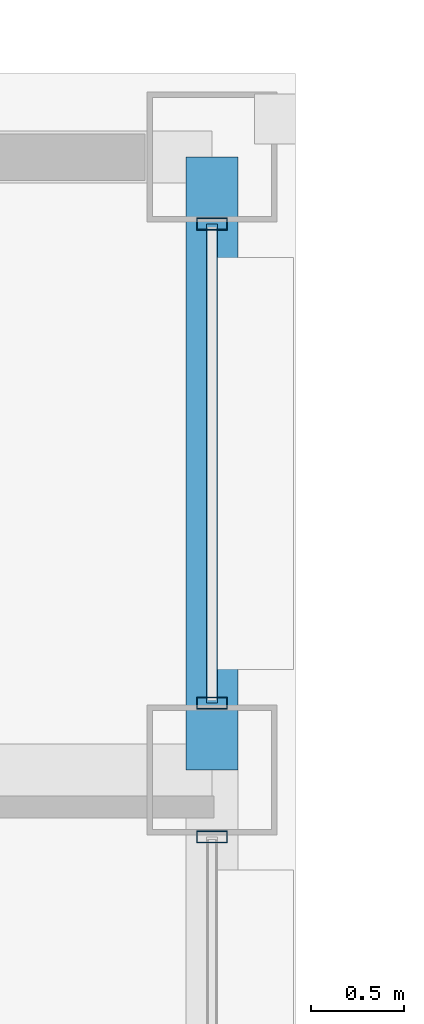
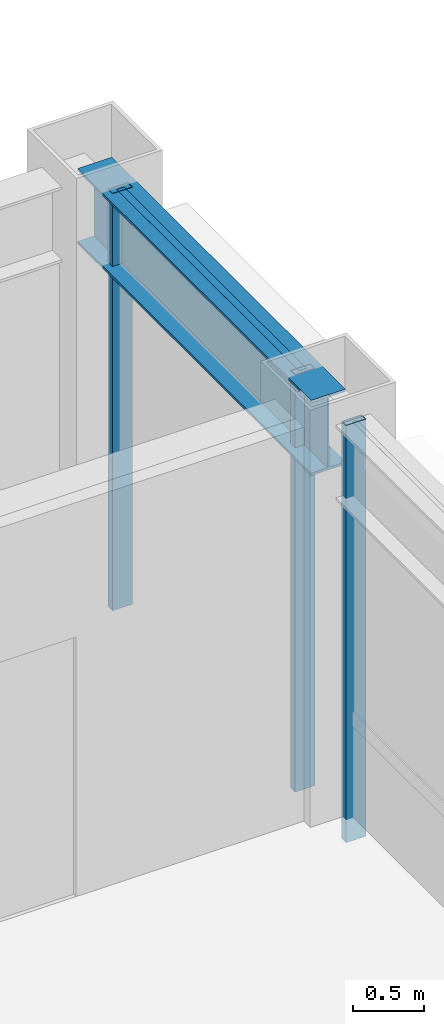
# One storey, part 18 of 30: 4 members, 1 beam, 2 elements without a shape of their own.
"""IFC4 building model written with IfcOpenShell, lengths in metres."""

import ifcopenshell
import ifcopenshell.guid

model = None  # the IFC model being written
_history = None  # IfcOwnerHistory: only IFC2X3 demands one
_inside = {}  # id of a spatial element -> (the spatial element, [elements in it])
_under = {}  # id of a project, library or spatial element -> (it, [spatial elements below it])
_declared = {}  # id of a project -> (the project, [libraries it declares])
_typed = {}  # id of a type object -> (the type object, [elements of that type])
_made_of = {}  # id of a material, layer set ... -> (it, [elements and type objects made of it])


def new_model(schema):
    """Start an empty IFC model of exactly this schema.

    Asked for "IFC4X3", IfcOpenShell would pick the latest addendum, in which some entities
    have other attributes; the version numbers below select the first issue.
    IFC2X3 requires an IfcOwnerHistory on every rooted entity: one is made here for all.
    """
    global model, _history
    if schema == "IFC4X3":
        model = ifcopenshell.file(schema_version=(4, 3, 0, 0))
    else:
        model = ifcopenshell.file(schema=schema)
    _inside.clear()
    _under.clear()
    _declared.clear()
    _typed.clear()
    _made_of.clear()
    _history = None
    if model.schema == "IFC2X3":
        org = make("IfcOrganization", Name="unknown")
        user = make(
            "IfcPersonAndOrganization",
            ThePerson=make("IfcPerson", FamilyName="unknown"),
            TheOrganization=org,
        )
        app = make(
            "IfcApplication",
            ApplicationDeveloper=org,
            Version="unknown",
            ApplicationFullName="unknown",
            ApplicationIdentifier="unknown",
        )
        _history = make(
            "IfcOwnerHistory",
            OwningUser=user,
            OwningApplication=app,
            ChangeAction="ADDED",
            CreationDate=0,
        )
    return model


def make(cls, **values):
    """One entity of the class cls with the attributes given. An attribute that is None is left unset."""
    return model.create_entity(
        cls, **{name: value for name, value in values.items() if value is not None}
    )


def rooted(cls, **values):
    """An entity with a GlobalId (a new one), such as an element, a storey or a relation."""
    return make(cls, GlobalId=ifcopenshell.guid.new(), OwnerHistory=_history, **values)


def si_unit(unit_type, name, prefix=None):
    """IfcSIUnit, for example si_unit("LENGTHUNIT", "METRE", prefix="MILLI")."""
    return make("IfcSIUnit", UnitType=unit_type, Prefix=prefix, Name=name)


def assignment(units):
    """IfcUnitAssignment: the units of a project."""
    return None if units is None else make("IfcUnitAssignment", Units=units)


def point(xyz):
    """IfcCartesianPoint."""
    return None if xyz is None else make("IfcCartesianPoint", Coordinates=xyz)


def direction(xyz):
    """IfcDirection."""
    return None if xyz is None else make("IfcDirection", DirectionRatios=xyz)


def frame(location, z_axis=None, x_axis=None):
    """IfcAxis2Placement3D, a coordinate frame: its origin and axes. An axis left out is left unset."""
    return make(
        "IfcAxis2Placement3D",
        Location=point(location),
        Axis=direction(z_axis),
        RefDirection=direction(x_axis),
    )


def frame_2d(location, x_axis=None):
    """IfcAxis2Placement2D, a coordinate frame in the plane: its origin and x axis."""
    return make(
        "IfcAxis2Placement2D", Location=point(location), RefDirection=direction(x_axis)
    )


def origin():
    """The frame at (0, 0, 0) with its axes left unset."""
    return frame((0.0, 0.0, 0.0))


def origin_2d():
    """The frame at (0, 0) in the plane with its x axis left unset."""
    return frame_2d((0.0, 0.0))


def place(relative_to, where):
    """IfcLocalPlacement: puts the frame where relative to a parent placement (None: the world)."""
    return make(
        "IfcLocalPlacement", PlacementRelTo=relative_to, RelativePlacement=where
    )


def context(
    kind, dimensions, precision=None, world=None, true_north=None, identifier=None
):
    """IfcGeometricRepresentationContext, for example the 3D "Model" context."""
    return make(
        "IfcGeometricRepresentationContext",
        ContextIdentifier=identifier,
        ContextType=kind,
        CoordinateSpaceDimension=dimensions,
        Precision=precision,
        WorldCoordinateSystem=world,
        TrueNorth=true_north,
    )


def subcontext(parent, identifier, kind, view, scale=None):
    """IfcGeometricRepresentationSubContext, for example "Body" below "Model"."""
    return make(
        "IfcGeometricRepresentationSubContext",
        ContextIdentifier=identifier,
        ContextType=kind,
        ParentContext=parent,
        TargetScale=scale,
        TargetView=view,
    )


def project(units=None, contexts=None):
    """IfcProject with its units and contexts."""
    return rooted(
        "IfcProject",
        Name="project",
        RepresentationContexts=contexts,
        UnitsInContext=assignment(units),
    )


def spatial(cls, under=None, at=None, **own):
    """A site, building, storey or space (cls), placed at a placement, below another one or the project."""
    s = rooted(cls, ObjectPlacement=at, **own)
    if under is not None:
        _under.setdefault(under.id(), (under, []))[1].append(s)
    return s


def profile(cls, at=None, kind="AREA", **sizes):
    """A parametric profile (cls). Its sizes go by their IFC names, for example OverallWidth=200.0."""
    return make(cls, ProfileType=kind, Position=at, **sizes)


def hollow_rectangle(**sizes):
    """IfcRectangleHollowProfileDef."""
    return profile("IfcRectangleHollowProfileDef", **sizes)


def i_section(**sizes):
    """IfcIShapeProfileDef."""
    return profile("IfcIShapeProfileDef", **sizes)


def extrude(swept, where, along, depth):
    """IfcExtrudedAreaSolid: the profile swept, set in the frame where, extruded along a direction by depth."""
    return make(
        "IfcExtrudedAreaSolid",
        SweptArea=swept,
        Position=where,
        ExtrudedDirection=direction(along),
        Depth=depth,
    )


def shape(context_of_items, identifier, shape_type, items):
    """IfcShapeRepresentation: the items that make up one representation, for example the "Body"."""
    return make(
        "IfcShapeRepresentation",
        ContextOfItems=context_of_items,
        RepresentationIdentifier=identifier,
        RepresentationType=shape_type,
        Items=items,
    )


def material(Name=None, Category=None):
    """IfcMaterial."""
    return make("IfcMaterial", Name=Name, Category=Category)


def layer(
    of_material, thickness, ventilated=None, Name=None, Category=None, Priority=None
):
    """IfcMaterialLayer: one layer of a wall or slab, of a material (None: an air gap)."""
    return make(
        "IfcMaterialLayer",
        Material=of_material,
        LayerThickness=thickness,
        IsVentilated=ventilated,
        Name=Name,
        Category=Category,
        Priority=Priority,
    )


def layer_set(layers, Name=None):
    """IfcMaterialLayerSet."""
    return make("IfcMaterialLayerSet", MaterialLayers=layers, LayerSetName=Name)


def material_profile(
    of_material, cross_section, Name=None, Category=None, Priority=None
):
    """IfcMaterialProfile: a cross section and its material."""
    return make(
        "IfcMaterialProfile",
        Name=Name,
        Material=of_material,
        Profile=cross_section,
        Priority=Priority,
        Category=Category,
    )


def profile_set(profiles, Name=None, composite=None):
    """IfcMaterialProfileSet."""
    return make(
        "IfcMaterialProfileSet",
        Name=Name,
        MaterialProfiles=profiles,
        CompositeProfile=composite,
    )


def made_of(thing, what):
    """Note that an element or type object is made of a material, layer set ...; save() writes the relation."""
    if what is not None:
        _made_of.setdefault(what.id(), (what, []))[1].append(thing)
    return thing


def type_object(cls, material=None, **own):
    """A type object (cls), such as IfcWallType, which elements share."""
    return made_of(rooted(cls, **own), material)


def element(
    cls,
    number,
    at=None,
    inside=None,
    cuts=None,
    type_object=None,
    material=None,
    context=None,
    identifier="Body",
    shape_type=None,
    held_by="IfcProductDefinitionShape",
    body=None,
    shapes=None,
    **own,
):
    """One element of the class cls, such as IfcWall. Its Tag is "e" and its number.

    at: its placement. inside: the storey or other place that contains it. cuts: it is an
    opening in that element (IfcRelVoidsElement). A single representation is given by context,
    identifier, shape_type and body (its items); several are given by shapes. held_by: the class
    of the entity that holds the representations. save() writes the other relations.
    """
    e = rooted(cls, Tag="e%d" % number, ObjectPlacement=at, **own)
    if body is not None:
        shapes = [shape(context, identifier, shape_type, body)]
    if shapes is not None:
        e.Representation = make(held_by, Representations=shapes)
    if inside is not None:
        _inside.setdefault(inside.id(), (inside, []))[1].append(e)
    if cuts is not None:
        rooted(
            "IfcRelVoidsElement", RelatingBuildingElement=cuts, RelatedOpeningElement=e
        )
    if type_object is not None:
        _typed.setdefault(type_object.id(), (type_object, []))[1].append(e)
    return made_of(e, material)


def aggregate(whole, parts):
    """IfcRelAggregates: a whole, such as a stair, and the parts it consists of."""
    return rooted("IfcRelAggregates", RelatingObject=whole, RelatedObjects=parts)


def save(model, path):
    """Write the relations noted so far, then the file.

    IfcRelAggregates (storeys below a building ...), IfcRelContainedInSpatialStructure (elements
    in a storey), IfcRelDefinesByType, IfcRelAssociatesMaterial and IfcRelDeclares: one each for
    every whole, place, type object, material and project.
    """
    for whole, parts in _under.values():
        aggregate(whole, parts)
    for where, things in _inside.values():
        rooted(
            "IfcRelContainedInSpatialStructure",
            RelatedElements=things,
            RelatingStructure=where,
        )
    for kind, things in _typed.values():
        rooted("IfcRelDefinesByType", RelatedObjects=things, RelatingType=kind)
    for what, things in _made_of.values():
        rooted("IfcRelAssociatesMaterial", RelatedObjects=things, RelatingMaterial=what)
    for by, libraries in _declared.values():
        rooted("IfcRelDeclares", RelatingContext=by, RelatedDefinitions=libraries)
    model.write(path)


model = new_model("IFC4")

# Units and contexts
model_context = context("Model", 3, precision=1e-05, world=origin(), true_north=direction((0.0, 1.0)))
body_context = subcontext(model_context, "Body", "Model", "MODEL_VIEW")
ifc_project = project(units=[si_unit("LENGTHUNIT", "METRE"), si_unit("AREAUNIT", "SQUARE_METRE"), si_unit("VOLUMEUNIT", "CUBIC_METRE"), si_unit("PLANEANGLEUNIT", "RADIAN"), si_unit("MASSUNIT", "GRAM", prefix="KILO")], contexts=[model_context])

# Site, building, storey
site_placement = place(None, origin())
site = spatial("IfcSite", under=ifc_project, at=site_placement, CompositionType="ELEMENT")
building_placement = place(site_placement, origin())
building = spatial("IfcBuilding", under=site, at=building_placement, Name="Brelmoor Portico Tower", CompositionType="ELEMENT")
storey_placement = place(building_placement, frame((0.0, 0.0, 187.5)))
storey = spatial("IfcBuildingStorey", under=building, at=storey_placement, Name="L49", CompositionType="ELEMENT", Elevation=187.5)

# Beam
ifc_material_1 = material(Name="Steel Q355B", Category="steel")
ifc_material_profile_1 = material_profile(ifc_material_1, i_section(OverallWidth=0.280029296875, OverallDepth=0.64990234375, WebThickness=0.012939453125, FlangeThickness=0.02197265625, at=origin_2d()), Name="HN 650x280x13x22")
ifc_profile_set_1 = profile_set([ifc_material_profile_1], Name="Steel Q355B")
beam_type = type_object("IfcBeamType", Name="BM-SP-650", PredefinedType="SPANDREL", material=ifc_profile_set_1)
beam_placement = place(storey_placement, frame((20.550048828125, 9.75, 3.074951171875), z_axis=(0.0, 1.0, 0.0), x_axis=(-1.0, 0.0, 0.0)))
element("IfcBeam", 1, at=beam_placement, inside=storey, type_object=beam_type, Name="L49 Perimeter Spandrel Beam SP-20", PredefinedType="SPANDREL", context=body_context, shape_type="SweptSolid", body=[
    extrude(i_section(OverallWidth=0.280029296875, OverallDepth=0.64990234375, WebThickness=0.012939453125, FlangeThickness=0.02197265625, at=origin_2d()), origin(), (0.0, 0.0, 1.0), 3.300048828125),
])

# Curtain wall, member
ifc_material_2 = material(Name="Anodised Aluminium Alloy 6063-T6", Category="aluminium")
ifc_layer_1 = layer(ifc_material_2, 0.179931640625)
ifc_layer_set_1 = layer_set([ifc_layer_1], Name="Anodised Aluminium Alloy 6063-T6")
curtain_wall_type_1 = type_object("IfcCurtainWallType", Name="CW-TOWER-Z3", PredefinedType="NOTDEFINED", material=ifc_layer_set_1)
curtain_wall_1_placement = place(storey_placement, origin())
curtain_wall_1 = element("IfcCurtainWall", 2, at=curtain_wall_1_placement, inside=storey, type_object=curtain_wall_type_1, Name="L49 Curtain Wall CW-L49-4R-1", PredefinedType="NOTDEFINED")
ifc_material_profile_2 = material_profile(ifc_material_2, hollow_rectangle(XDim=0.06494140625, YDim=0.1650390625, WallThickness=0.00390625, at=origin_2d()), Name="ALU MULLION 65x165")
ifc_profile_set_2 = profile_set([ifc_material_profile_2], Name="Anodised Aluminium Alloy 6063-T6")
member_type_1 = type_object("IfcMemberType", Name="MB-CW-MULL-165", PredefinedType="MULLION", material=ifc_profile_set_2)
member_1_placement = place(storey_placement, frame((20.550048828125, 9.389892578125, -0.199951171875), z_axis=(0.0, 0.0, 1.0), x_axis=(0.0, 1.0, 0.0)))
member_1 = element("IfcMember", 3, at=member_1_placement, type_object=member_type_1, Name="CW-L49-4R-1 Mullion 01", PredefinedType="MULLION", context=body_context, shape_type="SweptSolid", body=[
    extrude(hollow_rectangle(XDim=0.06494140625, YDim=0.1650390625, WallThickness=0.00390625, at=origin_2d()), origin(), (0.0, 0.0, 1.0), 3.599853515625),
])
aggregate(curtain_wall_1, [member_1])

# Curtain wall, members
ifc_layer_2 = layer(ifc_material_2, 0.179931640625)
ifc_layer_set_2 = layer_set([ifc_layer_2], Name="Anodised Aluminium Alloy 6063-T6")
curtain_wall_type_2 = type_object("IfcCurtainWallType", Name="CW-TOWER-Z3-XB", PredefinedType="NOTDEFINED", material=ifc_layer_set_2)
curtain_wall_2_placement = place(storey_placement, origin())
curtain_wall_2 = element("IfcCurtainWall", 4, at=curtain_wall_2_placement, inside=storey, type_object=curtain_wall_type_2, Name="L49 Curtain Wall CW-L49-4R-2", PredefinedType="NOTDEFINED")
member_2_placement = place(storey_placement, frame((20.550048828125, 10.110107421875, -0.199951171875), z_axis=(0.0, 0.0, 1.0), x_axis=(0.0, 1.0, 0.0)))
member_2 = element("IfcMember", 5, at=member_2_placement, type_object=member_type_1, Name="CW-L49-4R-2 Mullion 00", PredefinedType="MULLION", context=body_context, shape_type="SweptSolid", body=[
    extrude(hollow_rectangle(XDim=0.06494140625, YDim=0.1650390625, WallThickness=0.00390625, at=origin_2d()), origin(), (0.0, 0.0, 1.0), 3.599853515625),
])
member_3_placement = place(storey_placement, frame((20.550048828125, 12.68994140625, -0.199951171875), z_axis=(0.0, 0.0, 1.0), x_axis=(0.0, 1.0, 0.0)))
member_3 = element("IfcMember", 6, at=member_3_placement, type_object=member_type_1, Name="CW-L49-4R-2 Mullion 01", PredefinedType="MULLION", context=body_context, shape_type="SweptSolid", body=[
    extrude(hollow_rectangle(XDim=0.06494140625, YDim=0.1650390625, WallThickness=0.00390625, at=origin_2d()), origin(), (0.0, 0.0, 1.0), 3.599853515625),
])
ifc_material_profile_3 = material_profile(ifc_material_2, hollow_rectangle(XDim=0.06005859375, YDim=0.125, WallThickness=0.00341796875, at=origin_2d()), Name="ALU TRANSOM 60x125")
ifc_profile_set_3 = profile_set([ifc_material_profile_3], Name="Anodised Aluminium Alloy 6063-T6")
member_type_2 = type_object("IfcMemberType", Name="MB-CW-TRAN-125", PredefinedType="USERDEFINED", material=ifc_profile_set_3)
member_4_placement = place(storey_placement, frame((20.550048828125, 10.110107421875, 3.33740234375), z_axis=(0.0, 1.0, 0.0), x_axis=(-1.0, 0.0, 0.0)))
member_4 = element("IfcMember", 7, at=member_4_placement, type_object=member_type_2, Name="CW-L49-4R-2 Transom 1-00", ObjectType="TRANSOM", PredefinedType="USERDEFINED", context=body_context, shape_type="SweptSolid", body=[
    extrude(hollow_rectangle(XDim=0.06005859375, YDim=0.125, WallThickness=0.00341796875, at=origin_2d()), origin(), (0.0, 0.0, 1.0), 2.579833984375),
])
aggregate(curtain_wall_2, [member_2, member_3, member_4])

save(model, "model.ifc")
